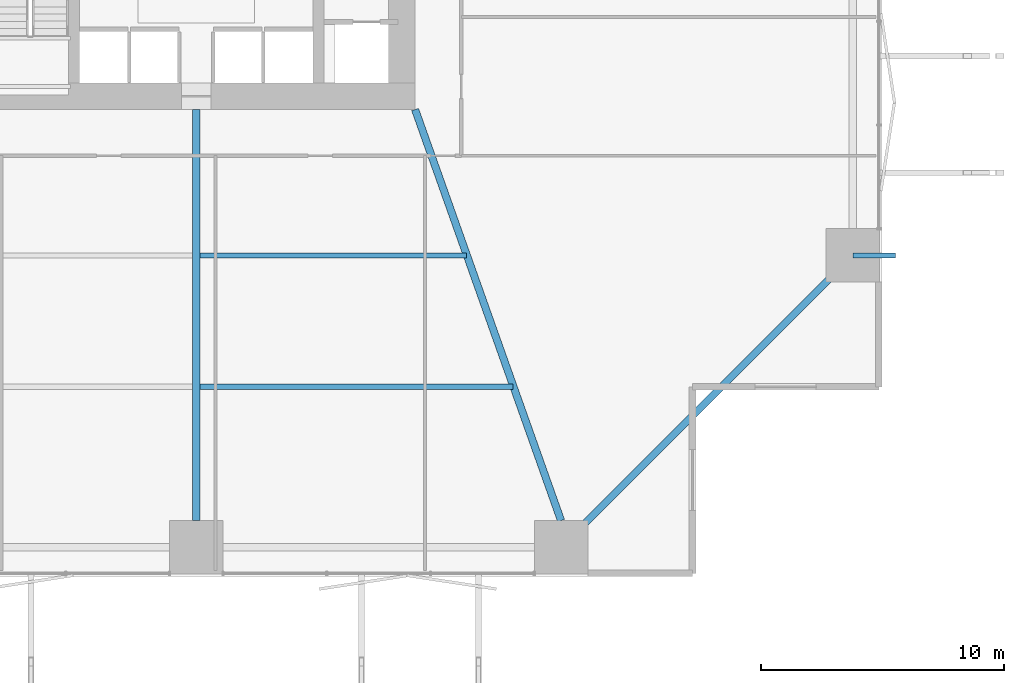
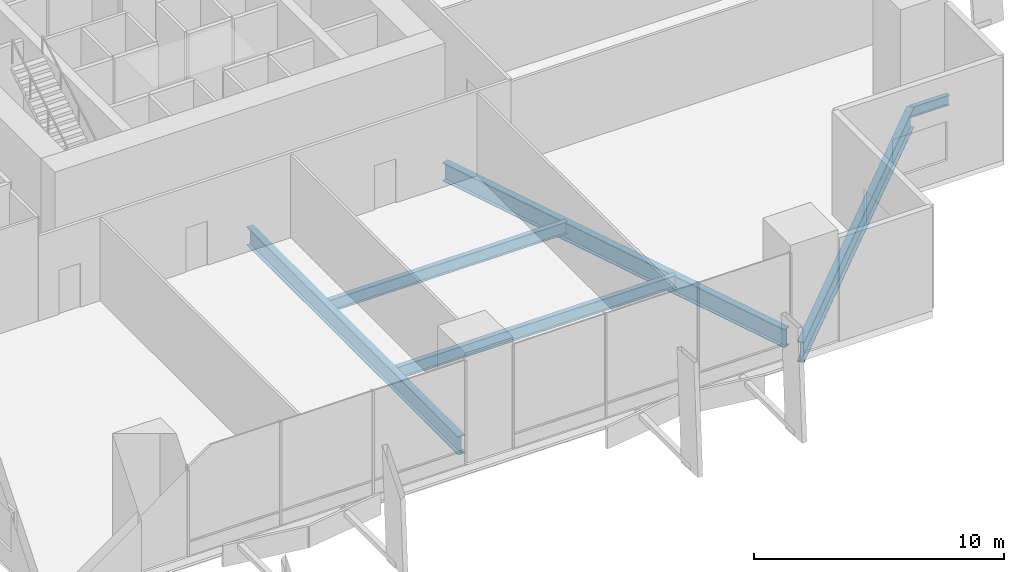
# One storey, part 7 of 24: 6 beams.
"""IFC4 building model written with IfcOpenShell, lengths in metres."""

from ifc_helpers import new_model, si_unit, direction, frame, origin, origin_2d, place, context, subcontext, project, spatial, i_section, extrude, material, material_profile, profile_set, type_object, element, save


model = new_model("IFC4")

# Units and contexts
model_context = context("Model", 3, precision=1e-05, world=origin(), true_north=direction((0.0, 1.0)))
body_context = subcontext(model_context, "Body", "Model", "MODEL_VIEW")
ifc_project = project(units=[si_unit("LENGTHUNIT", "METRE"), si_unit("AREAUNIT", "SQUARE_METRE"), si_unit("VOLUMEUNIT", "CUBIC_METRE"), si_unit("PLANEANGLEUNIT", "RADIAN"), si_unit("MASSUNIT", "GRAM", prefix="KILO")], contexts=[model_context])

# Site, building, storey
site_placement = place(None, origin())
site = spatial("IfcSite", under=ifc_project, at=site_placement, CompositionType="ELEMENT")
building_placement = place(site_placement, origin())
building = spatial("IfcBuilding", under=site, at=building_placement, Name="Belovzor Exchange Tower", CompositionType="ELEMENT")
storey_placement = place(building_placement, frame((0.0, 0.0, 13.800048828125)))
storey = spatial("IfcBuildingStorey", under=building, at=storey_placement, Name="L03", CompositionType="ELEMENT", Elevation=13.800048828125)

# Beams
ifc_material_1 = material(Name="Steel S355", Category="steel")
ifc_material_profile_1 = material_profile(ifc_material_1, i_section(OverallWidth=0.199951171875, OverallDepth=0.5, WebThickness=0.01025390625, FlangeThickness=0.01611328125, at=origin_2d()))
ifc_profile_set_1 = profile_set([ifc_material_profile_1], Name="Steel S355")
beam_type_1 = type_object("IfcBeamType", Name="Planted Balcony Cantilever Beam IPE 500", PredefinedType="BEAM", material=ifc_profile_set_1)
beam_1_placement = place(storey_placement, frame((55.800048828125, 13.800048828125, -0.60009765625), z_axis=(1.0, 0.0, 0.0), x_axis=(0.0, 1.0, 0.0)))
element("IfcBeam", 1, at=beam_1_placement, inside=storey, type_object=beam_type_1, Name="BC-500 Planted Balcony Cantilever Beam IPE 500", PredefinedType="BEAM", context=body_context, shape_type="SweptSolid", body=[
    extrude(i_section(OverallWidth=0.199951171875, OverallDepth=0.5, WebThickness=0.01025390625, FlangeThickness=0.01611328125, at=origin_2d()), origin(), (0.0, 0.0, 1.0), 1.75),
])
ifc_material_2 = material(Name="Steel S460", Category="steel")
ifc_material_profile_2 = material_profile(ifc_material_2, i_section(OverallWidth=0.300048828125, OverallDepth=1.0, WebThickness=0.02099609375, FlangeThickness=0.0400390625, at=origin_2d()))
ifc_profile_set_2 = profile_set([ifc_material_profile_2], Name="Steel S460")
beam_type_2 = type_object("IfcBeamType", Name="Podium Exchange Hall Ring Girder HEM 1000", PredefinedType="BEAM", material=ifc_profile_set_2)
beam_2_placement = place(storey_placement, frame((43.800048828125, 1.800048828125, -0.85009765625), z_axis=(0.707106781187, 0.707106781187, 0.0), x_axis=(-0.707106781187, 0.707106781187, 0.0)))
element("IfcBeam", 2, at=beam_2_placement, inside=storey, type_object=beam_type_2, Name="PG-1 Podium Exchange Hall Ring Girder HEM 1000", PredefinedType="BEAM", context=body_context, shape_type="SweptSolid", body=[
    extrude(i_section(OverallWidth=0.300048828125, OverallDepth=1.0, WebThickness=0.02099609375, FlangeThickness=0.0400390625, at=origin_2d()), origin(), (0.0, 0.0, 1.0), 16.970458984375),
])
ifc_material_3 = material(Name="Steel S460", Category="steel")
ifc_material_profile_3 = material_profile(ifc_material_3, i_section(OverallWidth=0.300048828125, OverallDepth=0.89990234375, WebThickness=0.0185546875, FlangeThickness=0.034912109375, at=origin_2d()))
ifc_profile_set_3 = profile_set([ifc_material_profile_3], Name="Steel S460")
beam_type_3 = type_object("IfcBeamType", Name="Podium Radial Clear-Span Girder HEB 900", PredefinedType="BEAM", material=ifc_profile_set_3)
beam_3_placement = place(storey_placement, frame((28.800048828125, 19.800048828125, -0.800048828125), z_axis=(0.0, -1.0, 0.0), x_axis=(1.0, 0.0, 0.0)))
element("IfcBeam", 3, at=beam_3_placement, inside=storey, type_object=beam_type_3, Name="PG-2 Podium Radial Clear-Span Girder HEB 900", PredefinedType="BEAM", context=body_context, shape_type="SweptSolid", body=[
    extrude(i_section(OverallWidth=0.300048828125, OverallDepth=0.89990234375, WebThickness=0.0185546875, FlangeThickness=0.034912109375, at=origin_2d()), origin(), (0.0, 0.0, 1.0), 16.900146484375),
])
beam_4_placement = place(storey_placement, frame((37.800048828125, 19.800048828125, -0.800048828125), z_axis=(0.334567025634, -0.94237195701, 0.0), x_axis=(0.94237195701, 0.334567025634, 0.0)))
element("IfcBeam", 4, at=beam_4_placement, inside=storey, type_object=beam_type_3, Name="PG-2 Podium Radial Clear-Span Girder HEB 900", PredefinedType="BEAM", context=body_context, shape_type="SweptSolid", body=[
    extrude(i_section(OverallWidth=0.300048828125, OverallDepth=0.89990234375, WebThickness=0.0185546875, FlangeThickness=0.034912109375, at=origin_2d()), origin(), (0.0, 0.0, 1.0), 17.93359375),
])
ifc_material_4 = material(Name="Steel S355", Category="steel")
ifc_material_profile_4 = material_profile(ifc_material_4, i_section(OverallWidth=0.219970703125, OverallDepth=0.60009765625, WebThickness=0.011962890625, FlangeThickness=0.01904296875, at=origin_2d()))
ifc_profile_set_4 = profile_set([ifc_material_profile_4], Name="Steel S355")
beam_type_4 = type_object("IfcBeamType", Name="Podium Secondary Composite Floor Beam IPE 600", PredefinedType="BEAM", material=ifc_profile_set_4)
beam_5_placement = place(storey_placement, frame((28.949951171875, 8.39990234375, -0.650146484375), z_axis=(1.0, 0.0, 0.0), x_axis=(0.0, 1.0, 0.0)))
element("IfcBeam", 5, at=beam_5_placement, inside=storey, type_object=beam_type_4, Name="FB-600 Podium Secondary Composite Floor Beam IPE 600", PredefinedType="BEAM", context=body_context, shape_type="SweptSolid", body=[
    extrude(i_section(OverallWidth=0.219970703125, OverallDepth=0.60009765625, WebThickness=0.011962890625, FlangeThickness=0.01904296875, at=origin_2d()), origin(), (0.0, 0.0, 1.0), 12.876953125),
])
beam_6_placement = place(storey_placement, frame((28.949951171875, 13.800048828125, -0.650146484375), z_axis=(1.0, 0.0, 0.0), x_axis=(0.0, 1.0, 0.0)))
element("IfcBeam", 6, at=beam_6_placement, inside=storey, type_object=beam_type_4, Name="FB-600 Podium Secondary Composite Floor Beam IPE 600", PredefinedType="BEAM", context=body_context, shape_type="SweptSolid", body=[
    extrude(i_section(OverallWidth=0.219970703125, OverallDepth=0.60009765625, WebThickness=0.011962890625, FlangeThickness=0.01904296875, at=origin_2d()), origin(), (0.0, 0.0, 1.0), 10.9599609375),
])

save(model, "model.ifc")
